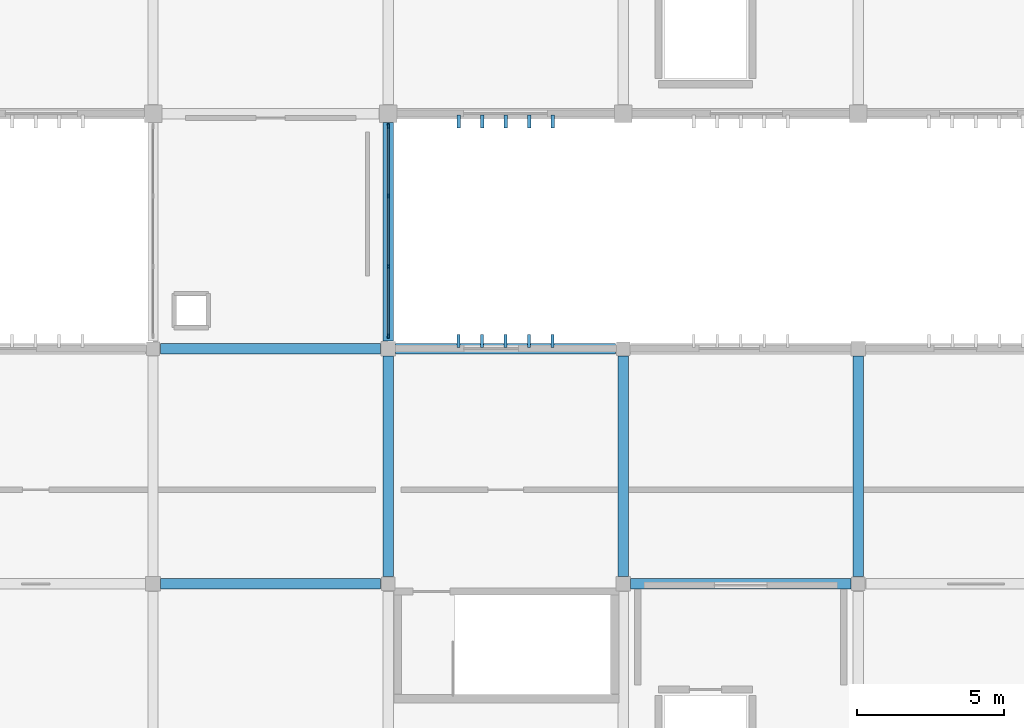
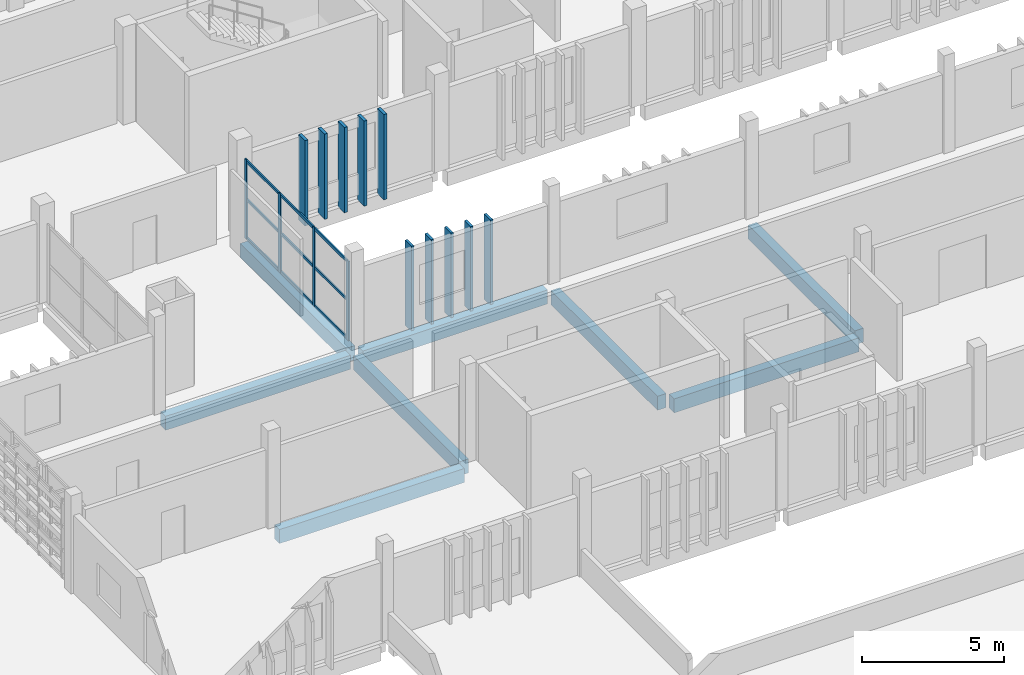
# One storey, part 11 of 48: 23 members, 8 beams, 1 element without a shape of its own.
"""IFC4 building model written with IfcOpenShell, lengths in metres."""

from ifc_helpers import new_model, si_unit, direction, frame, origin, origin_2d, place, context, subcontext, project, spatial, rectangle, extrude, material, layer, layer_set, material_profile, profile_set, type_object, element, aggregate, save


model = new_model("IFC4")

# Units and contexts
model_context = context("Model", 3, precision=1e-05, world=origin(), true_north=direction((0.0, 1.0)))
body_context = subcontext(model_context, "Body", "Model", "MODEL_VIEW")
ifc_project = project(units=[si_unit("LENGTHUNIT", "METRE"), si_unit("AREAUNIT", "SQUARE_METRE"), si_unit("VOLUMEUNIT", "CUBIC_METRE"), si_unit("PLANEANGLEUNIT", "RADIAN"), si_unit("MASSUNIT", "GRAM", prefix="KILO")], contexts=[model_context])

# Site, building, storey
site_placement = place(None, origin())
site = spatial("IfcSite", under=ifc_project, at=site_placement, CompositionType="ELEMENT")
building_placement = place(site_placement, origin())
building = spatial("IfcBuilding", under=site, at=building_placement, Name="Jelvoka-Kovrelna Polytechnic", CompositionType="ELEMENT")
storey_placement = place(building_placement, frame((0.0, 0.0, 22.199951171875)))
storey = spatial("IfcBuildingStorey", under=building, at=storey_placement, Name="L06", CompositionType="ELEMENT", Elevation=22.199951171875)

# Beams
ifc_material_1 = material(Name="Concrete C35/45", Category="concrete")
ifc_material_profile_1 = material_profile(ifc_material_1, rectangle(XDim=0.35009765625, YDim=0.60009765625, at=origin_2d()), Name="RC 350x600")
ifc_profile_set_1 = profile_set([ifc_material_profile_1], Name="Concrete C35/45")
beam_type_1 = type_object("IfcBeamType", Name="Beam_RC_350x600", PredefinedType="BEAM", material=ifc_profile_set_1)
for number, where, z_axis, x_axis, name in (
    (1, (72.2548828125, 40.0, -0.5400390625), (1.0, 0.0, 0.0), (0.0, 1.0, 0.0), "L06 beam 1628"),
    (2, (88.2548828125, 40.0, -0.5400390625), (1.0, 0.0, 0.0), (0.0, 1.0, 0.0), "L06 beam 1629"),
    (3, (80.0, 40.2548828125, -0.5400390625), (0.0, 1.0, 0.0), (-1.0, 0.0, 0.0), "L06 beam 1643"),
    (4, (88.0, 40.2548828125, -0.5400390625), (0.0, 1.0, 0.0), (-1.0, 0.0, 0.0), "L06 beam 1645"),
    (5, (96.0, 40.2548828125, -0.5400390625), (0.0, 1.0, 0.0), (-1.0, 0.0, 0.0), "L06 beam 1647"),
):
    element("IfcBeam", number, at=place(storey_placement, frame(where, z_axis=z_axis, x_axis=x_axis)), inside=storey, type_object=beam_type_1, Name=name, PredefinedType="BEAM", context=body_context, shape_type="SweptSolid", body=[
        extrude(rectangle(XDim=0.35009765625, YDim=0.60009765625, at=origin_2d()), origin(), (0.0, 0.0, 1.0), 7.490234375),
    ])
beam_placement = place(storey_placement, frame((80.0, 48.2548828125, -0.5400390625), z_axis=(0.0, 1.0, 0.0), x_axis=(-1.0, 0.0, 0.0)))
element("IfcBeam", 6, at=beam_placement, inside=storey, type_object=beam_type_1, Name="L06 beam 1773", PredefinedType="BEAM", context=body_context, shape_type="SweptSolid", body=[
    extrude(rectangle(XDim=0.35009765625, YDim=0.60009765625, at=origin_2d()), origin(), (0.0, 0.0, 1.0), 7.440185546875),
])

# Members
ifc_material_2 = material(Name="Precast concrete C40/50", Category="concrete")
ifc_material_profile_2 = material_profile(ifc_material_2, rectangle(XDim=0.10009765625, YDim=0.449951171875, at=origin_2d()), Name="PC 100x450")
ifc_profile_set_2 = profile_set([ifc_material_profile_2], Name="Precast concrete C40/50")
member_type_1 = type_object("IfcMemberType", Name="Louvre_Fin_100x450", PredefinedType="USERDEFINED", material=ifc_profile_set_2)
for number, where, z_axis, x_axis, name in (
    (7, (82.39990234375, 48.264892578125, -0.27001953125), (0.0, 0.0, 1.0), (1.0, 0.0, 0.0), "L06 B2W north vertical solar louvre fin 0831"),
    (8, (83.199951171875, 48.264892578125, -0.27001953125), (0.0, 0.0, 1.0), (1.0, 0.0, 0.0), "L06 B2W north vertical solar louvre fin 0832"),
    (9, (84.0, 48.264892578125, -0.27001953125), (0.0, 0.0, 1.0), (1.0, 0.0, 0.0), "L06 B2W north vertical solar louvre fin 0833"),
    (10, (84.800048828125, 48.264892578125, -0.27001953125), (0.0, 0.0, 1.0), (1.0, 0.0, 0.0), "L06 B2W north vertical solar louvre fin 0834"),
    (11, (85.60009765625, 48.264892578125, -0.27001953125), (0.0, 0.0, 1.0), (1.0, 0.0, 0.0), "L06 B2W north vertical solar louvre fin 0835"),
):
    element("IfcMember", number, at=place(storey_placement, frame(where, z_axis=z_axis, x_axis=x_axis)), inside=storey, type_object=member_type_1, Name=name, ObjectType="SUNSHADE", PredefinedType="USERDEFINED", context=body_context, shape_type="SweptSolid", body=[
        extrude(rectangle(XDim=0.10009765625, YDim=0.449951171875, at=origin_2d()), origin(), (0.0, 0.0, 1.0), 3.655029296875),
    ])
ifc_material_3 = material(Name="Precast concrete C40/50", Category="concrete")
ifc_material_profile_3 = material_profile(ifc_material_3, rectangle(XDim=0.1201171875, YDim=0.449951171875, at=origin_2d()), Name="PC 120x450")
ifc_profile_set_3 = profile_set([ifc_material_profile_3], Name="Precast concrete C40/50")
member_type_2 = type_object("IfcMemberType", Name="Louvre_Fin_120x450", PredefinedType="USERDEFINED", material=ifc_profile_set_3)
for number, where, z_axis, x_axis, name in (
    (12, (82.39990234375, 55.735107421875, -0.27001953125), (0.0, 0.0, 1.0), (1.0, 0.0, 0.0), "L06 B3 south vertical solar louvre fin 1956"),
    (13, (83.199951171875, 55.735107421875, -0.27001953125), (0.0, 0.0, 1.0), (1.0, 0.0, 0.0), "L06 B3 south vertical solar louvre fin 1957"),
    (14, (84.0, 55.735107421875, -0.27001953125), (0.0, 0.0, 1.0), (1.0, 0.0, 0.0), "L06 B3 south vertical solar louvre fin 1958"),
    (15, (84.800048828125, 55.735107421875, -0.27001953125), (0.0, 0.0, 1.0), (1.0, 0.0, 0.0), "L06 B3 south vertical solar louvre fin 1959"),
    (16, (85.60009765625, 55.735107421875, -0.27001953125), (0.0, 0.0, 1.0), (1.0, 0.0, 0.0), "L06 B3 south vertical solar louvre fin 1960"),
):
    element("IfcMember", number, at=place(storey_placement, frame(where, z_axis=z_axis, x_axis=x_axis)), inside=storey, type_object=member_type_2, Name=name, ObjectType="SUNSHADE", PredefinedType="USERDEFINED", context=body_context, shape_type="SweptSolid", body=[
        extrude(rectangle(XDim=0.1201171875, YDim=0.449951171875, at=origin_2d()), origin(), (0.0, 0.0, 1.0), 3.655029296875),
    ])

# Curtain wall, members
ifc_material_4 = material(Name="Anodised aluminium 6063-T6", Category="aluminium")
ifc_layer = layer(ifc_material_4, 0.159912109375)
ifc_layer_set = layer_set([ifc_layer], Name="Anodised aluminium 6063-T6")
curtain_wall_type = type_object("IfcCurtainWallType", Name="CW_LinkBridge", PredefinedType="NOTDEFINED", material=ifc_layer_set)
curtain_wall_placement = place(storey_placement, origin())
curtain_wall = element("IfcCurtainWall", 17, at=curtain_wall_placement, inside=storey, type_object=curtain_wall_type, Name="L06 glazed curtain wall 160", PredefinedType="NOTDEFINED")
ifc_material_5 = material(Name="Anodised aluminium 6063-T6", Category="aluminium")
ifc_material_profile_4 = material_profile(ifc_material_5, rectangle(XDim=0.06005859375, YDim=0.159912109375, at=origin_2d()), Name="ALU 60x160")
ifc_profile_set_4 = profile_set([ifc_material_profile_4], Name="Anodised aluminium 6063-T6")
member_type_3 = type_object("IfcMemberType", Name="Mullion_M-04", PredefinedType="MULLION", material=ifc_profile_set_4)
member_1_placement = place(storey_placement, frame((80.0, 55.570068359375, -0.02490234375), z_axis=(0.0, 0.0, 1.0), x_axis=(1.0, 0.0, 0.0)))
member_1 = element("IfcMember", 18, at=member_1_placement, type_object=member_type_3, Name="CW-04 mullion 1", PredefinedType="MULLION", context=body_context, shape_type="SweptSolid", body=[
    extrude(rectangle(XDim=0.06005859375, YDim=0.159912109375, at=origin_2d()), origin(), (0.0, 0.0, 1.0), 3.400146484375),
])
member_2_placement = place(storey_placement, frame((80.0, 53.199951171875, -0.02490234375), z_axis=(0.0, 0.0, 1.0), x_axis=(1.0, 0.0, 0.0)))
member_2 = element("IfcMember", 19, at=member_2_placement, type_object=member_type_3, Name="CW-04 mullion 2", PredefinedType="MULLION", context=body_context, shape_type="SweptSolid", body=[
    extrude(rectangle(XDim=0.06005859375, YDim=0.159912109375, at=origin_2d()), origin(), (0.0, 0.0, 1.0), 3.400146484375),
])
member_3_placement = place(storey_placement, frame((80.0, 50.800048828125, -0.02490234375), z_axis=(0.0, 0.0, 1.0), x_axis=(1.0, 0.0, 0.0)))
member_3 = element("IfcMember", 20, at=member_3_placement, type_object=member_type_3, Name="CW-04 mullion 3", PredefinedType="MULLION", context=body_context, shape_type="SweptSolid", body=[
    extrude(rectangle(XDim=0.06005859375, YDim=0.159912109375, at=origin_2d()), origin(), (0.0, 0.0, 1.0), 3.400146484375),
])
member_4_placement = place(storey_placement, frame((80.0, 48.429931640625, -0.02490234375), z_axis=(0.0, 0.0, 1.0), x_axis=(1.0, 0.0, 0.0)))
member_4 = element("IfcMember", 21, at=member_4_placement, type_object=member_type_3, Name="CW-04 mullion 4", PredefinedType="MULLION", context=body_context, shape_type="SweptSolid", body=[
    extrude(rectangle(XDim=0.06005859375, YDim=0.159912109375, at=origin_2d()), origin(), (0.0, 0.0, 1.0), 3.400146484375),
])

# Beams
ifc_material_6 = material(Name="Concrete C40/50", Category="concrete")
ifc_material_profile_5 = material_profile(ifc_material_6, rectangle(XDim=0.35009765625, YDim=0.60009765625, at=origin_2d()), Name="RC 350x600")
ifc_profile_set_5 = profile_set([ifc_material_profile_5], Name="Concrete C40/50")
beam_type_2 = type_object("IfcBeamType", Name="Spandrel_RC_350x600", PredefinedType="SPANDREL", material=ifc_profile_set_5)
for number, where, z_axis, x_axis, name in (
    (22, (72.2548828125, 48.0, -0.5400390625), (1.0, 0.0, 0.0), (0.0, 1.0, 0.0), "L06 beam 1633"),
    (23, (80.2548828125, 48.0, -0.5400390625), (1.0, 0.0, 0.0), (0.0, 1.0, 0.0), "L06 beam 1634"),
):
    element("IfcBeam", number, at=place(storey_placement, frame(where, z_axis=z_axis, x_axis=x_axis)), inside=storey, type_object=beam_type_2, Name=name, PredefinedType="SPANDREL", context=body_context, shape_type="SweptSolid", body=[
        extrude(rectangle(XDim=0.35009765625, YDim=0.60009765625, at=origin_2d()), origin(), (0.0, 0.0, 1.0), 7.490234375),
    ])

# Member
ifc_material_7 = material(Name="Anodised aluminium 6063-T6", Category="aluminium")
ifc_material_profile_6 = material_profile(ifc_material_7, rectangle(XDim=0.06005859375, YDim=0.1201171875, at=origin_2d()), Name="ALU 60x120")
ifc_profile_set_6 = profile_set([ifc_material_profile_6], Name="Anodised aluminium 6063-T6")
member_type_4 = type_object("IfcMemberType", Name="Transom_T-04", PredefinedType="USERDEFINED", material=ifc_profile_set_6)
member_5_placement = place(storey_placement, frame((80.0, 55.5400390625, 0.030029296875), z_axis=(0.0, -1.0, 0.0), x_axis=(1.0, 0.0, 0.0)))
member_5 = element("IfcMember", 24, at=member_5_placement, type_object=member_type_4, Name="CW-04 transom 1.1", ObjectType="TRANSOM", PredefinedType="USERDEFINED", context=body_context, shape_type="SweptSolid", body=[
    extrude(rectangle(XDim=0.06005859375, YDim=0.1201171875, at=origin_2d()), origin(), (0.0, 0.0, 1.0), 2.31005859375),
])

member_6_placement = place(storey_placement, frame((80.0, 55.5400390625, 1.675048828125), z_axis=(0.0, -1.0, 0.0), x_axis=(1.0, 0.0, 0.0)))
member_6 = element("IfcMember", 25, at=member_6_placement, type_object=member_type_4, Name="CW-04 transom 1.2", ObjectType="TRANSOM", PredefinedType="USERDEFINED", context=body_context, shape_type="SweptSolid", body=[
    extrude(rectangle(XDim=0.06005859375, YDim=0.1201171875, at=origin_2d()), origin(), (0.0, 0.0, 1.0), 2.31005859375),
])

member_7_placement = place(storey_placement, frame((80.0, 55.5400390625, 3.320068359375), z_axis=(0.0, -1.0, 0.0), x_axis=(1.0, 0.0, 0.0)))
member_7 = element("IfcMember", 26, at=member_7_placement, type_object=member_type_4, Name="CW-04 transom 1.3", ObjectType="TRANSOM", PredefinedType="USERDEFINED", context=body_context, shape_type="SweptSolid", body=[
    extrude(rectangle(XDim=0.06005859375, YDim=0.1201171875, at=origin_2d()), origin(), (0.0, 0.0, 1.0), 2.31005859375),
])

member_8_placement = place(storey_placement, frame((80.0, 53.169921875, 0.030029296875), z_axis=(0.0, -1.0, 0.0), x_axis=(1.0, 0.0, 0.0)))
member_8 = element("IfcMember", 27, at=member_8_placement, type_object=member_type_4, Name="CW-04 transom 2.1", ObjectType="TRANSOM", PredefinedType="USERDEFINED", context=body_context, shape_type="SweptSolid", body=[
    extrude(rectangle(XDim=0.06005859375, YDim=0.1201171875, at=origin_2d()), origin(), (0.0, 0.0, 1.0), 2.33984375),
])

member_9_placement = place(storey_placement, frame((80.0, 53.169921875, 1.675048828125), z_axis=(0.0, -1.0, 0.0), x_axis=(1.0, 0.0, 0.0)))
member_9 = element("IfcMember", 28, at=member_9_placement, type_object=member_type_4, Name="CW-04 transom 2.2", ObjectType="TRANSOM", PredefinedType="USERDEFINED", context=body_context, shape_type="SweptSolid", body=[
    extrude(rectangle(XDim=0.06005859375, YDim=0.1201171875, at=origin_2d()), origin(), (0.0, 0.0, 1.0), 2.33984375),
])

member_10_placement = place(storey_placement, frame((80.0, 53.169921875, 3.320068359375), z_axis=(0.0, -1.0, 0.0), x_axis=(1.0, 0.0, 0.0)))
member_10 = element("IfcMember", 29, at=member_10_placement, type_object=member_type_4, Name="CW-04 transom 2.3", ObjectType="TRANSOM", PredefinedType="USERDEFINED", context=body_context, shape_type="SweptSolid", body=[
    extrude(rectangle(XDim=0.06005859375, YDim=0.1201171875, at=origin_2d()), origin(), (0.0, 0.0, 1.0), 2.33984375),
])

member_11_placement = place(storey_placement, frame((80.0, 50.77001953125, 0.030029296875), z_axis=(0.0, -1.0, 0.0), x_axis=(1.0, 0.0, 0.0)))
member_11 = element("IfcMember", 30, at=member_11_placement, type_object=member_type_4, Name="CW-04 transom 3.1", ObjectType="TRANSOM", PredefinedType="USERDEFINED", context=body_context, shape_type="SweptSolid", body=[
    extrude(rectangle(XDim=0.06005859375, YDim=0.1201171875, at=origin_2d()), origin(), (0.0, 0.0, 1.0), 2.31005859375),
])

member_12_placement = place(storey_placement, frame((80.0, 50.77001953125, 1.675048828125), z_axis=(0.0, -1.0, 0.0), x_axis=(1.0, 0.0, 0.0)))
member_12 = element("IfcMember", 31, at=member_12_placement, type_object=member_type_4, Name="CW-04 transom 3.2", ObjectType="TRANSOM", PredefinedType="USERDEFINED", context=body_context, shape_type="SweptSolid", body=[
    extrude(rectangle(XDim=0.06005859375, YDim=0.1201171875, at=origin_2d()), origin(), (0.0, 0.0, 1.0), 2.31005859375),
])

member_13_placement = place(storey_placement, frame((80.0, 50.77001953125, 3.320068359375), z_axis=(0.0, -1.0, 0.0), x_axis=(1.0, 0.0, 0.0)))
member_13 = element("IfcMember", 32, at=member_13_placement, type_object=member_type_4, Name="CW-04 transom 3.3", ObjectType="TRANSOM", PredefinedType="USERDEFINED", context=body_context, shape_type="SweptSolid", body=[
    extrude(rectangle(XDim=0.06005859375, YDim=0.1201171875, at=origin_2d()), origin(), (0.0, 0.0, 1.0), 2.31005859375),
])

aggregate(curtain_wall, [member_1, member_2, member_3, member_4, member_5, member_6, member_7, member_8, member_9, member_10, member_11, member_12, member_13])

save(model, "model.ifc")
